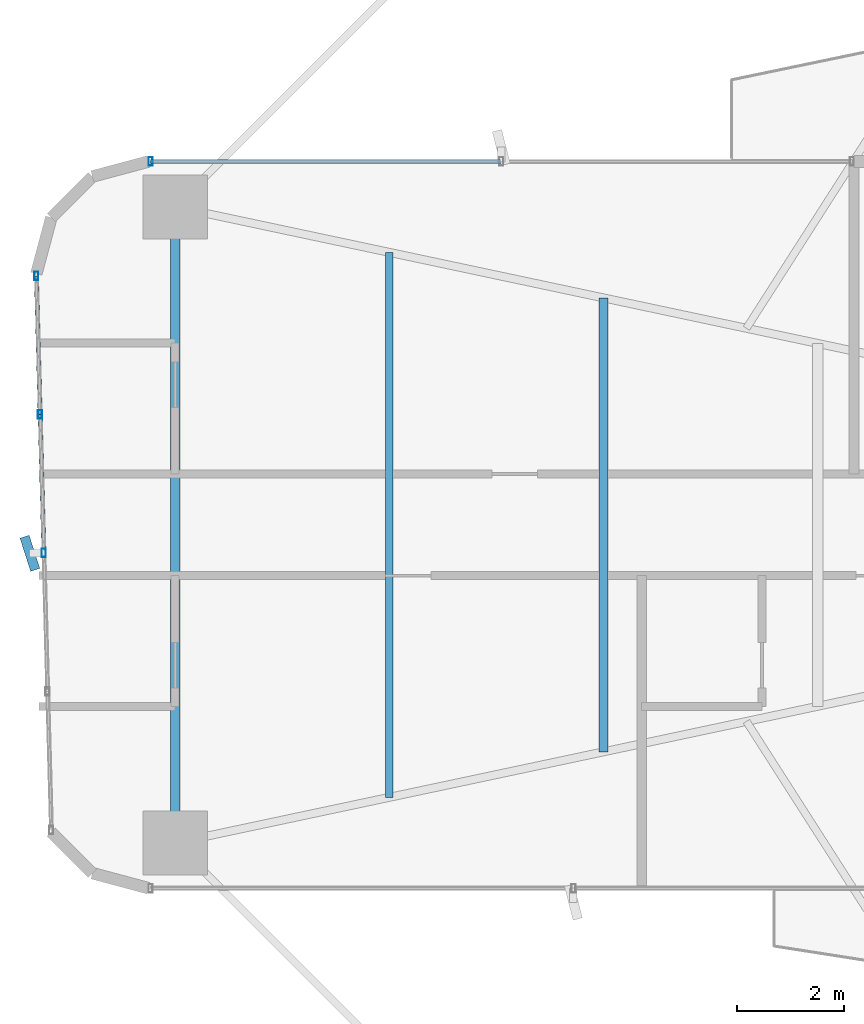
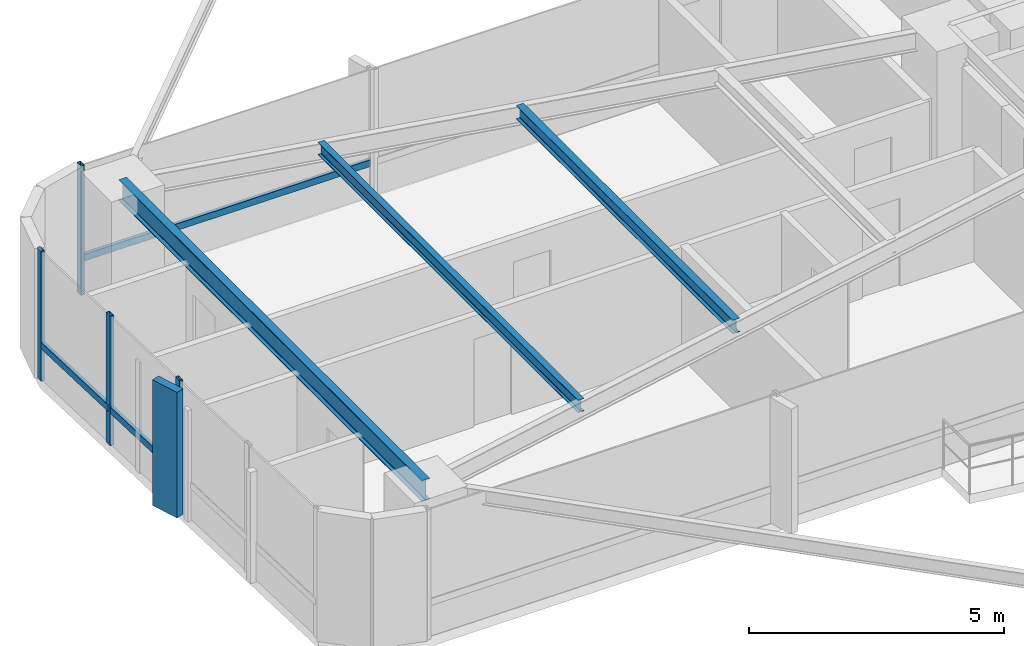
# One storey, part 8 of 25: 8 members, 3 beams, 2 elements without a shape of their own.
"""IFC4 building model written with IfcOpenShell, lengths in metres."""

import ifcopenshell
import ifcopenshell.guid

model = None  # the IFC model being written
_history = None  # IfcOwnerHistory: only IFC2X3 demands one
_inside = {}  # id of a spatial element -> (the spatial element, [elements in it])
_under = {}  # id of a project, library or spatial element -> (it, [spatial elements below it])
_declared = {}  # id of a project -> (the project, [libraries it declares])
_typed = {}  # id of a type object -> (the type object, [elements of that type])
_made_of = {}  # id of a material, layer set ... -> (it, [elements and type objects made of it])


def new_model(schema):
    """Start an empty IFC model of exactly this schema.

    Asked for "IFC4X3", IfcOpenShell would pick the latest addendum, in which some entities
    have other attributes; the version numbers below select the first issue.
    IFC2X3 requires an IfcOwnerHistory on every rooted entity: one is made here for all.
    """
    global model, _history
    if schema == "IFC4X3":
        model = ifcopenshell.file(schema_version=(4, 3, 0, 0))
    else:
        model = ifcopenshell.file(schema=schema)
    _inside.clear()
    _under.clear()
    _declared.clear()
    _typed.clear()
    _made_of.clear()
    _history = None
    if model.schema == "IFC2X3":
        org = make("IfcOrganization", Name="unknown")
        user = make(
            "IfcPersonAndOrganization",
            ThePerson=make("IfcPerson", FamilyName="unknown"),
            TheOrganization=org,
        )
        app = make(
            "IfcApplication",
            ApplicationDeveloper=org,
            Version="unknown",
            ApplicationFullName="unknown",
            ApplicationIdentifier="unknown",
        )
        _history = make(
            "IfcOwnerHistory",
            OwningUser=user,
            OwningApplication=app,
            ChangeAction="ADDED",
            CreationDate=0,
        )
    return model


def make(cls, **values):
    """One entity of the class cls with the attributes given. An attribute that is None is left unset."""
    return model.create_entity(
        cls, **{name: value for name, value in values.items() if value is not None}
    )


def rooted(cls, **values):
    """An entity with a GlobalId (a new one), such as an element, a storey or a relation."""
    return make(cls, GlobalId=ifcopenshell.guid.new(), OwnerHistory=_history, **values)


def si_unit(unit_type, name, prefix=None):
    """IfcSIUnit, for example si_unit("LENGTHUNIT", "METRE", prefix="MILLI")."""
    return make("IfcSIUnit", UnitType=unit_type, Prefix=prefix, Name=name)


def assignment(units):
    """IfcUnitAssignment: the units of a project."""
    return None if units is None else make("IfcUnitAssignment", Units=units)


def point(xyz):
    """IfcCartesianPoint."""
    return None if xyz is None else make("IfcCartesianPoint", Coordinates=xyz)


def direction(xyz):
    """IfcDirection."""
    return None if xyz is None else make("IfcDirection", DirectionRatios=xyz)


def frame(location, z_axis=None, x_axis=None):
    """IfcAxis2Placement3D, a coordinate frame: its origin and axes. An axis left out is left unset."""
    return make(
        "IfcAxis2Placement3D",
        Location=point(location),
        Axis=direction(z_axis),
        RefDirection=direction(x_axis),
    )


def frame_2d(location, x_axis=None):
    """IfcAxis2Placement2D, a coordinate frame in the plane: its origin and x axis."""
    return make(
        "IfcAxis2Placement2D", Location=point(location), RefDirection=direction(x_axis)
    )


def origin():
    """The frame at (0, 0, 0) with its axes left unset."""
    return frame((0.0, 0.0, 0.0))


def origin_2d():
    """The frame at (0, 0) in the plane with its x axis left unset."""
    return frame_2d((0.0, 0.0))


def place(relative_to, where):
    """IfcLocalPlacement: puts the frame where relative to a parent placement (None: the world)."""
    return make(
        "IfcLocalPlacement", PlacementRelTo=relative_to, RelativePlacement=where
    )


def context(
    kind, dimensions, precision=None, world=None, true_north=None, identifier=None
):
    """IfcGeometricRepresentationContext, for example the 3D "Model" context."""
    return make(
        "IfcGeometricRepresentationContext",
        ContextIdentifier=identifier,
        ContextType=kind,
        CoordinateSpaceDimension=dimensions,
        Precision=precision,
        WorldCoordinateSystem=world,
        TrueNorth=true_north,
    )


def subcontext(parent, identifier, kind, view, scale=None):
    """IfcGeometricRepresentationSubContext, for example "Body" below "Model"."""
    return make(
        "IfcGeometricRepresentationSubContext",
        ContextIdentifier=identifier,
        ContextType=kind,
        ParentContext=parent,
        TargetScale=scale,
        TargetView=view,
    )


def project(units=None, contexts=None):
    """IfcProject with its units and contexts."""
    return rooted(
        "IfcProject",
        Name="project",
        RepresentationContexts=contexts,
        UnitsInContext=assignment(units),
    )


def spatial(cls, under=None, at=None, **own):
    """A site, building, storey or space (cls), placed at a placement, below another one or the project."""
    s = rooted(cls, ObjectPlacement=at, **own)
    if under is not None:
        _under.setdefault(under.id(), (under, []))[1].append(s)
    return s


def profile(cls, at=None, kind="AREA", **sizes):
    """A parametric profile (cls). Its sizes go by their IFC names, for example OverallWidth=200.0."""
    return make(cls, ProfileType=kind, Position=at, **sizes)


def rectangle(**sizes):
    """IfcRectangleProfileDef."""
    return profile("IfcRectangleProfileDef", **sizes)


def hollow_rectangle(**sizes):
    """IfcRectangleHollowProfileDef."""
    return profile("IfcRectangleHollowProfileDef", **sizes)


def i_section(**sizes):
    """IfcIShapeProfileDef."""
    return profile("IfcIShapeProfileDef", **sizes)


def extrude(swept, where, along, depth):
    """IfcExtrudedAreaSolid: the profile swept, set in the frame where, extruded along a direction by depth."""
    return make(
        "IfcExtrudedAreaSolid",
        SweptArea=swept,
        Position=where,
        ExtrudedDirection=direction(along),
        Depth=depth,
    )


def shape(context_of_items, identifier, shape_type, items):
    """IfcShapeRepresentation: the items that make up one representation, for example the "Body"."""
    return make(
        "IfcShapeRepresentation",
        ContextOfItems=context_of_items,
        RepresentationIdentifier=identifier,
        RepresentationType=shape_type,
        Items=items,
    )


def source(mapping_origin, context_of_items, identifier, shape_type, items):
    """IfcRepresentationMap: a shape defined once, which mapped items show again and again."""
    return make(
        "IfcRepresentationMap",
        MappingOrigin=mapping_origin,
        MappedRepresentation=shape(context_of_items, identifier, shape_type, items),
    )


def transform(
    local_origin,
    x_axis=None,
    y_axis=None,
    z_axis=None,
    scale=None,
    scale2=None,
    scale3=None,
    uniform=True,
):
    """IfcCartesianTransformationOperator3D, or its non-uniform kind. x_axis, y_axis, z_axis: its Axis1, 2, 3."""
    if uniform:
        return make(
            "IfcCartesianTransformationOperator3D",
            Axis1=direction(x_axis),
            Axis2=direction(y_axis),
            LocalOrigin=point(local_origin),
            Scale=scale,
            Axis3=direction(z_axis),
        )
    return make(
        "IfcCartesianTransformationOperator3DnonUniform",
        Axis1=direction(x_axis),
        Axis2=direction(y_axis),
        LocalOrigin=point(local_origin),
        Scale=scale,
        Axis3=direction(z_axis),
        Scale2=scale2,
        Scale3=scale3,
    )


def mapped(mapping_source, mapping_target):
    """IfcMappedItem: shows the shape of a source again, moved by a transform."""
    return make(
        "IfcMappedItem", MappingSource=mapping_source, MappingTarget=mapping_target
    )


def material(Name=None, Category=None):
    """IfcMaterial."""
    return make("IfcMaterial", Name=Name, Category=Category)


def material_profile(
    of_material, cross_section, Name=None, Category=None, Priority=None
):
    """IfcMaterialProfile: a cross section and its material."""
    return make(
        "IfcMaterialProfile",
        Name=Name,
        Material=of_material,
        Profile=cross_section,
        Priority=Priority,
        Category=Category,
    )


def profile_set(profiles, Name=None, composite=None):
    """IfcMaterialProfileSet."""
    return make(
        "IfcMaterialProfileSet",
        Name=Name,
        MaterialProfiles=profiles,
        CompositeProfile=composite,
    )


def made_of(thing, what):
    """Note that an element or type object is made of a material, layer set ...; save() writes the relation."""
    if what is not None:
        _made_of.setdefault(what.id(), (what, []))[1].append(thing)
    return thing


def type_object(cls, material=None, **own):
    """A type object (cls), such as IfcWallType, which elements share."""
    return made_of(rooted(cls, **own), material)


def element(
    cls,
    number,
    at=None,
    inside=None,
    cuts=None,
    type_object=None,
    material=None,
    context=None,
    identifier="Body",
    shape_type=None,
    held_by="IfcProductDefinitionShape",
    body=None,
    shapes=None,
    **own,
):
    """One element of the class cls, such as IfcWall. Its Tag is "e" and its number.

    at: its placement. inside: the storey or other place that contains it. cuts: it is an
    opening in that element (IfcRelVoidsElement). A single representation is given by context,
    identifier, shape_type and body (its items); several are given by shapes. held_by: the class
    of the entity that holds the representations. save() writes the other relations.
    """
    e = rooted(cls, Tag="e%d" % number, ObjectPlacement=at, **own)
    if body is not None:
        shapes = [shape(context, identifier, shape_type, body)]
    if shapes is not None:
        e.Representation = make(held_by, Representations=shapes)
    if inside is not None:
        _inside.setdefault(inside.id(), (inside, []))[1].append(e)
    if cuts is not None:
        rooted(
            "IfcRelVoidsElement", RelatingBuildingElement=cuts, RelatedOpeningElement=e
        )
    if type_object is not None:
        _typed.setdefault(type_object.id(), (type_object, []))[1].append(e)
    return made_of(e, material)


def aggregate(whole, parts):
    """IfcRelAggregates: a whole, such as a stair, and the parts it consists of."""
    return rooted("IfcRelAggregates", RelatingObject=whole, RelatedObjects=parts)


def save(model, path):
    """Write the relations noted so far, then the file.

    IfcRelAggregates (storeys below a building ...), IfcRelContainedInSpatialStructure (elements
    in a storey), IfcRelDefinesByType, IfcRelAssociatesMaterial and IfcRelDeclares: one each for
    every whole, place, type object, material and project.
    """
    for whole, parts in _under.values():
        aggregate(whole, parts)
    for where, things in _inside.values():
        rooted(
            "IfcRelContainedInSpatialStructure",
            RelatedElements=things,
            RelatingStructure=where,
        )
    for kind, things in _typed.values():
        rooted("IfcRelDefinesByType", RelatedObjects=things, RelatingType=kind)
    for what, things in _made_of.values():
        rooted("IfcRelAssociatesMaterial", RelatedObjects=things, RelatingMaterial=what)
    for by, libraries in _declared.values():
        rooted("IfcRelDeclares", RelatingContext=by, RelatedDefinitions=libraries)
    model.write(path)


model = new_model("IFC4")

# Units and contexts
model_context = context("Model", 3, precision=1e-05, world=origin(), true_north=direction((0.0, 1.0)))
body_context = subcontext(model_context, "Body", "Model", "MODEL_VIEW")
ifc_project = project(units=[si_unit("LENGTHUNIT", "METRE"), si_unit("AREAUNIT", "SQUARE_METRE"), si_unit("VOLUMEUNIT", "CUBIC_METRE"), si_unit("PLANEANGLEUNIT", "RADIAN"), si_unit("MASSUNIT", "GRAM", prefix="KILO")], contexts=[model_context])

# Site, building, storey
site_placement = place(None, origin())
site = spatial("IfcSite", under=ifc_project, at=site_placement, CompositionType="ELEMENT")
building_placement = place(site_placement, origin())
building = spatial("IfcBuilding", under=site, at=building_placement, Name="Sahyath Konkavel Grand Hotel", CompositionType="ELEMENT")
storey_placement = place(building_placement, frame((0.0, 0.0, 54.39990234375)))
storey = spatial("IfcBuildingStorey", under=building, at=storey_placement, Name="L14", CompositionType="ELEMENT", Elevation=54.39990234375)

# Beams
ifc_material_1 = material(Name="Steel E350", Category="steel")
ifc_material_profile_1 = material_profile(ifc_material_1, i_section(OverallWidth=0.179931640625, OverallDepth=0.5, WebThickness=0.01025390625, FlangeThickness=0.01708984375, FilletRadius=0.01708984375, at=origin_2d()), Name="ISMB 500")
ifc_profile_set_1 = profile_set([ifc_material_profile_1], Name="Steel E350")
beam_type_1 = type_object("IfcBeamType", Name="BM-ISMB500", PredefinedType="BEAM", material=ifc_profile_set_1)
shared_shape_1 = source(origin(), body_context, "Body", "SweptSolid", [
    extrude(i_section(OverallWidth=0.179931640625, OverallDepth=0.5, WebThickness=0.01025390625, FlangeThickness=0.01708984375, FilletRadius=0.01708984375, at=origin_2d()), origin(), (0.0, 0.0, 1.0), 11.89990234375),
])
beam_1_placement = place(storey_placement, frame((-22.199951171875, 5.949951171875, 2.860107421875), z_axis=(0.0, -1.0, 0.0), x_axis=(1.0, 0.0, 0.0)))
element("IfcBeam", 1, at=beam_1_placement, inside=storey, type_object=beam_type_1, Name="L14 Wing Tip Edge Beam W", PredefinedType="BEAM", context=body_context, shape_type="MappedRepresentation", body=[
    mapped(shared_shape_1, transform((0.0, 0.0, 0.0), scale=1.0)),
])
ifc_material_profile_2 = material_profile(ifc_material_1, i_section(OverallWidth=0.1650390625, OverallDepth=0.324951171875, WebThickness=0.007080078125, FlangeThickness=0.009765625, FilletRadius=0.014892578125, at=origin_2d()), Name="ISLB 325")
ifc_profile_set_2 = profile_set([ifc_material_profile_2], Name="Steel E350")
beam_type_2 = type_object("IfcBeamType", Name="BM-ISLB325", PredefinedType="BEAM", material=ifc_profile_set_2)
shared_shape_2 = source(origin(), body_context, "Body", "SweptSolid", [
    extrude(i_section(OverallWidth=0.1650390625, OverallDepth=0.324951171875, WebThickness=0.007080078125, FlangeThickness=0.009765625, FilletRadius=0.014892578125, at=origin_2d()), origin(), (0.0, 0.0, 1.0), 8.4921875),
])
beam_2_placement = place(storey_placement, frame((-14.18408203125, 4.24609375, 2.947509765625), z_axis=(0.0, -1.0, 0.0), x_axis=(1.0, 0.0, 0.0)))
element("IfcBeam", 2, at=beam_2_placement, inside=storey, type_object=beam_type_2, Name="L14 Secondary Floor Beam W-2", PredefinedType="BEAM", context=body_context, shape_type="MappedRepresentation", body=[
    mapped(shared_shape_2, transform((0.0, 0.0, 0.0), scale=1.0)),
])
ifc_material_profile_3 = material_profile(ifc_material_1, i_section(OverallWidth=0.139892578125, OverallDepth=0.300048828125, WebThickness=0.0078125, FlangeThickness=0.01318359375, FilletRadius=0.013916015625, at=origin_2d()), Name="ISMB 300")
ifc_profile_set_3 = profile_set([ifc_material_profile_3], Name="Steel E350")
beam_type_3 = type_object("IfcBeamType", Name="BM-ISMB300", PredefinedType="BEAM", material=ifc_profile_set_3)
shared_shape_3 = source(origin(), body_context, "Body", "SweptSolid", [
    extrude(i_section(OverallWidth=0.139892578125, OverallDepth=0.300048828125, WebThickness=0.0078125, FlangeThickness=0.01318359375, FilletRadius=0.013916015625, at=origin_2d()), origin(), (0.0, 0.0, 1.0), 10.19580078125),
])
beam_3_placement = place(storey_placement, frame((-18.19189453125, 5.097900390625, 2.960205078125), z_axis=(0.0, -1.0, 0.0), x_axis=(1.0, 0.0, 0.0)))
element("IfcBeam", 3, at=beam_3_placement, inside=storey, type_object=beam_type_3, Name="L14 Secondary Floor Beam W-3", PredefinedType="BEAM", context=body_context, shape_type="MappedRepresentation", body=[
    mapped(shared_shape_3, transform((0.0, 0.0, 0.0), scale=1.0)),
])

# Curtain wall, members
ifc_material_2 = material(Name="Anodised Bronze Aluminium & Low-E Glazing", Category="aluminium")
curtain_wall_type = type_object("IfcCurtainWallType", Name="CW-ZONE1", PredefinedType="NOTDEFINED", material=ifc_material_2)
curtain_wall_1_placement = place(storey_placement, origin())
curtain_wall_1 = element("IfcCurtainWall", 4, at=curtain_wall_1_placement, inside=storey, type_object=curtain_wall_type, Name="L14 Unitised Curtain Wall F20", PredefinedType="NOTDEFINED")
ifc_material_3 = material(Name="Warm Buff Sandstone Cladding on Concrete C50/60", Category="masonry")
ifc_material_profile_4 = material_profile(ifc_material_3, rectangle(XDim=0.179931640625, YDim=0.64990234375, at=origin_2d()), Name="FIN 180x650")
ifc_profile_set_4 = profile_set([ifc_material_profile_4], Name="Warm Buff Sandstone Cladding on Concrete C50/60")
member_type_1 = type_object("IfcMemberType", Name="FIN-SANDSTONE-650", PredefinedType="MULLION", material=ifc_profile_set_4)
shared_shape_4 = source(origin(), body_context, "Body", "SweptSolid", [
    extrude(rectangle(XDim=0.179931640625, YDim=0.64990234375, at=origin_2d()), origin(), (0.0, 0.0, 1.0), 3.010009765625),
])
member_1_placement = place(storey_placement, frame((-24.919189453125, -0.531982421875, 0.050048828125), z_axis=(0.0, 0.0, 1.0), x_axis=(0.952022626946, 0.306027642189, 0.0)))
member_1 = element("IfcMember", 5, at=member_1_placement, type_object=member_type_1, Name="L14 Sandstone Vertical Solar Fin FIN F20-2", PredefinedType="MULLION", context=body_context, shape_type="MappedRepresentation", body=[
    mapped(shared_shape_4, transform((0.0, 0.0, 0.0), scale=1.0)),
])
ifc_material_4 = material(Name="Anodised Bronze Aluminium", Category="aluminium")
ifc_material_profile_5 = material_profile(ifc_material_4, hollow_rectangle(XDim=0.080078125, YDim=0.159912109375, WallThickness=0.006103515625, at=origin_2d()), Name="RHS 160x80x6")
ifc_profile_set_5 = profile_set([ifc_material_profile_5], Name="Anodised Bronze Aluminium")
member_type_2 = type_object("IfcMemberType", Name="CW-TRN-160", PredefinedType="USERDEFINED", material=ifc_profile_set_5)
shared_shape_5 = source(origin(), body_context, "Body", "SweptSolid", [
    extrude(hollow_rectangle(XDim=0.080078125, YDim=0.159912109375, WallThickness=0.006103515625, at=origin_2d()), origin(), (0.0, 0.0, 1.0), 2.593505859375),
])
member_2_placement = place(storey_placement, frame((-24.798828125, 4.659912109375, 0.85009765625), z_axis=(0.026923093252, -0.999637507825, 0.0), x_axis=(0.999637507825, 0.026923093252, 0.0)))
member_2 = element("IfcMember", 6, at=member_2_placement, type_object=member_type_2, Name="L14 Curtain Wall Transom F20-0-spandrel", ObjectType="TRANSOM", PredefinedType="USERDEFINED", context=body_context, shape_type="MappedRepresentation", body=[
    mapped(shared_shape_5, transform((0.0, 0.0, 0.0), scale=1.0)),
])
shared_shape_6 = source(origin(), body_context, "Body", "SweptSolid", [
    extrude(hollow_rectangle(XDim=0.080078125, YDim=0.159912109375, WallThickness=0.006103515625, at=origin_2d()), origin(), (0.0, 0.0, 1.0), 2.59326171875),
])
member_3_placement = place(storey_placement, frame((-24.72900390625, 2.0673828125, 0.85009765625), z_axis=(0.026925627022, -0.99963743958, 0.0), x_axis=(0.99963743958, 0.026925627022, 0.0)))
member_3 = element("IfcMember", 7, at=member_3_placement, type_object=member_type_2, Name="L14 Curtain Wall Transom F20-1-spandrel", ObjectType="TRANSOM", PredefinedType="USERDEFINED", context=body_context, shape_type="MappedRepresentation", body=[
    mapped(shared_shape_6, transform((0.0, 0.0, 0.0), scale=1.0)),
])

# Curtain wall, member
curtain_wall_2_placement = place(storey_placement, origin())
curtain_wall_2 = element("IfcCurtainWall", 8, at=curtain_wall_2_placement, inside=storey, type_object=curtain_wall_type, Name="L14 Unitised Curtain Wall F16", PredefinedType="NOTDEFINED")
ifc_material_profile_6 = material_profile(ifc_material_4, hollow_rectangle(XDim=0.080078125, YDim=0.159912109375, WallThickness=0.006103515625, at=origin_2d()), Name="RHS 160x80x6")
ifc_profile_set_6 = profile_set([ifc_material_profile_6], Name="Anodised Bronze Aluminium")
member_type_3 = type_object("IfcMemberType", Name="CW-MUL-160", PredefinedType="MULLION", material=ifc_profile_set_6)
shared_shape_7 = source(origin(), body_context, "Body", "SweptSolid", [
    extrude(hollow_rectangle(XDim=0.080078125, YDim=0.159912109375, WallThickness=0.006103515625, at=origin_2d()), origin(), (0.0, 0.0, 1.0), 3.110107421875),
])
member_4_placement = place(storey_placement, frame((-22.659912109375, 6.800048828125, 0.0), z_axis=(0.0, 0.0, 1.0), x_axis=(1.0, 0.0, 0.0)))
member_4 = element("IfcMember", 9, at=member_4_placement, type_object=member_type_3, Name="L14 Curtain Wall Mullion F16-2", PredefinedType="MULLION", context=body_context, shape_type="MappedRepresentation", body=[
    mapped(shared_shape_7, transform((0.0, 0.0, 0.0), scale=1.0)),
])

# Member
member_5_placement = place(storey_placement, frame((-24.798828125, 4.659912109375, 0.0), z_axis=(0.0, 0.0, 1.0), x_axis=(1.0, 0.0, 0.0)))
member_5 = element("IfcMember", 10, at=member_5_placement, type_object=member_type_3, Name="L14 Curtain Wall Mullion F20-0", PredefinedType="MULLION", context=body_context, shape_type="MappedRepresentation", body=[
    mapped(shared_shape_7, transform((0.0, 0.0, 0.0), scale=1.0)),
])

member_6_placement = place(storey_placement, frame((-24.72900390625, 2.0673828125, 0.0), z_axis=(0.0, 0.0, 1.0), x_axis=(1.0, 0.0, 0.0)))
member_6 = element("IfcMember", 11, at=member_6_placement, type_object=member_type_3, Name="L14 Curtain Wall Mullion F20-1", PredefinedType="MULLION", context=body_context, shape_type="MappedRepresentation", body=[
    mapped(shared_shape_7, transform((0.0, 0.0, 0.0), scale=1.0)),
])

member_7_placement = place(storey_placement, frame((-24.6591796875, -0.52490234375, 0.0), z_axis=(0.0, 0.0, 1.0), x_axis=(1.0, 0.0, 0.0)))
member_7 = element("IfcMember", 12, at=member_7_placement, type_object=member_type_3, Name="L14 Curtain Wall Mullion F20-2", PredefinedType="MULLION", context=body_context, shape_type="MappedRepresentation", body=[
    mapped(shared_shape_7, transform((0.0, 0.0, 0.0), scale=1.0)),
])

aggregate(curtain_wall_1, [member_5, member_6, member_7, member_1, member_2, member_3])

shared_shape_8 = source(origin(), body_context, "Body", "SweptSolid", [
    extrude(hollow_rectangle(XDim=0.080078125, YDim=0.159912109375, WallThickness=0.006103515625, at=origin_2d()), origin(), (0.0, 0.0, 1.0), 6.559814453125),
])
member_8_placement = place(storey_placement, frame((-16.10009765625, 6.800048828125, 0.85009765625), z_axis=(-1.0, 0.0, 0.0), x_axis=(0.0, -1.0, 0.0)))
member_8 = element("IfcMember", 13, at=member_8_placement, type_object=member_type_2, Name="L14 Curtain Wall Transom F16-1-spandrel", ObjectType="TRANSOM", PredefinedType="USERDEFINED", context=body_context, shape_type="MappedRepresentation", body=[
    mapped(shared_shape_8, transform((0.0, 0.0, 0.0), scale=1.0)),
])

aggregate(curtain_wall_2, [member_4, member_8])

save(model, "model.ifc")
